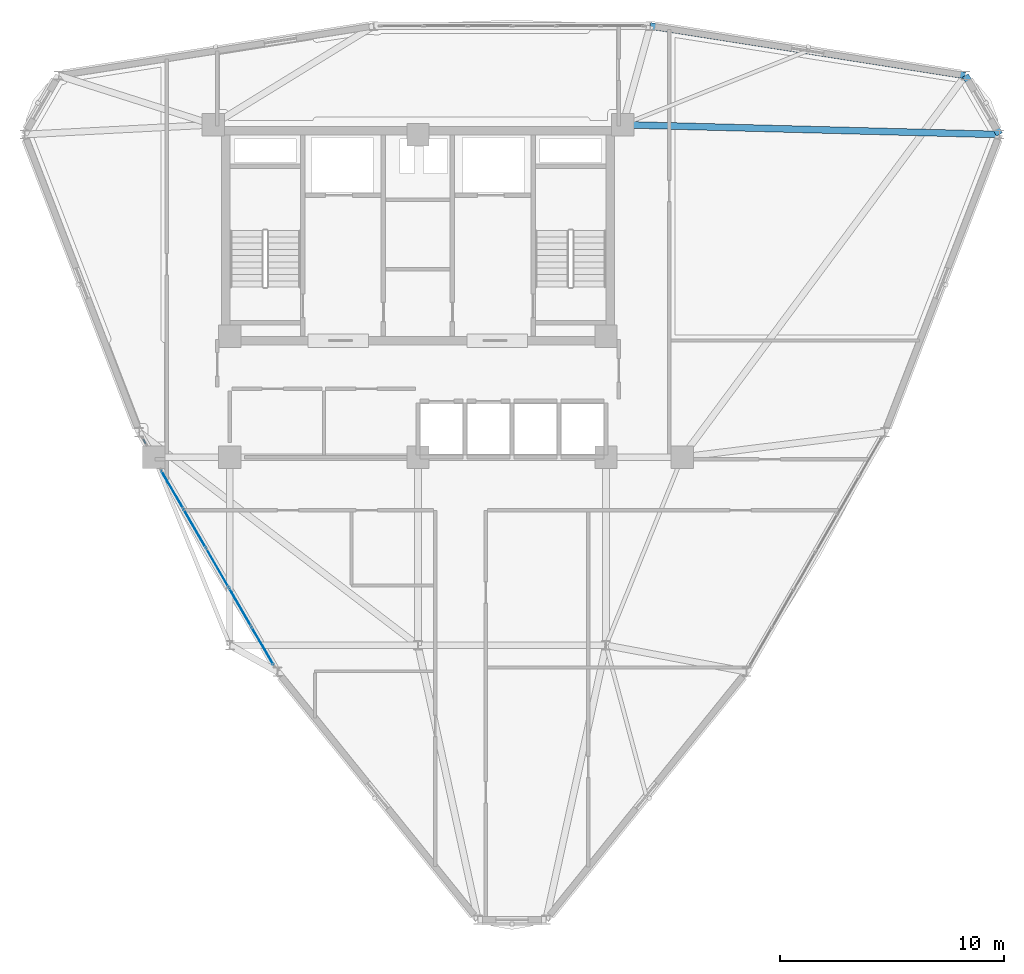
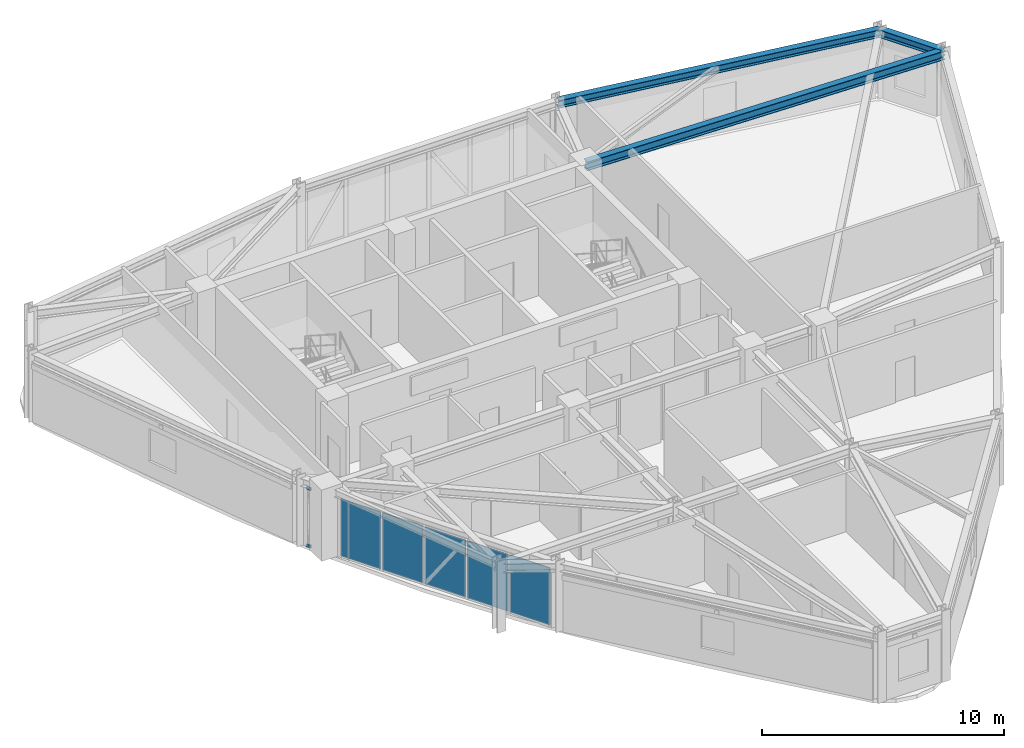
# One storey, part 11 of 18: 5 plates, 3 beams, 2 members, 2 elements without a shape of their own.
"""IFC4 building model written with IfcOpenShell, lengths in metres."""

from ifc_helpers import new_model, si_unit, derived_unit, direction, frame, origin, origin_2d, place, context, subcontext, project, spatial, rectangle, hollow_rectangle, i_section, extrude, source, transform, mapped, material, layer, layer_set, material_profile, profile_set, type_object, element, aggregate, save


model = new_model("IFC4")

# Units and contexts
model_context = context("Model", 3, precision=1e-05, world=origin(), true_north=direction((0.0, 1.0)))
body_context = subcontext(model_context, "Body", "Model", "MODEL_VIEW")
ifc_project = project(units=[si_unit("LENGTHUNIT", "METRE"), si_unit("AREAUNIT", "SQUARE_METRE"), si_unit("VOLUMEUNIT", "CUBIC_METRE"), si_unit("PLANEANGLEUNIT", "RADIAN"), si_unit("MASSUNIT", "GRAM", prefix="KILO"), derived_unit("THERMALTRANSMITTANCEUNIT", [(si_unit("POWERUNIT", "WATT"), 1), (si_unit("LENGTHUNIT", "METRE"), -2), (si_unit("THERMODYNAMICTEMPERATUREUNIT", "KELVIN"), -1)])], contexts=[model_context])

# Site, building, storey
site_placement = place(None, origin())
site = spatial("IfcSite", under=ifc_project, at=site_placement, CompositionType="ELEMENT")
building_placement = place(site_placement, origin())
building = spatial("IfcBuilding", under=site, at=building_placement, Name="Korsvarv Bourse and Concert Hall", CompositionType="ELEMENT")
storey_placement = place(building_placement, frame((0.0, 0.0, 209.39990234375)))
storey = spatial("IfcBuildingStorey", under=building, at=storey_placement, Name="L54", CompositionType="ELEMENT", Elevation=209.39990234375)

# Beams
ifc_material_1 = material(Name="Steel S355", Category="steel")
ifc_material_profile_1 = material_profile(ifc_material_1, i_section(OverallWidth=0.300048828125, OverallDepth=0.389892578125, WebThickness=0.010986328125, FlangeThickness=0.01904296875, FilletRadius=0.02099609375, at=origin_2d()), Name="HEA 400")
ifc_profile_set_1 = profile_set([ifc_material_profile_1], Name="Steel S355")
beam_type_1 = type_object("IfcBeamType", Name="BM-HEA400", PredefinedType="BEAM", material=ifc_profile_set_1)
shared_shape_1 = source(origin(), body_context, "Body", "SweptSolid", [
    extrude(i_section(OverallWidth=0.300048828125, OverallDepth=0.389892578125, WebThickness=0.010986328125, FlangeThickness=0.01904296875, FilletRadius=0.02099609375, at=origin_2d()), origin(), (0.0, 0.0, 1.0), 3.04443359375),
])
beam_1_placement = place(storey_placement, frame((61.97021484375, 46.811279296875, 3.215087890625), z_axis=(-0.500011694876, 0.866018651639, 0.0), x_axis=(-0.866018651639, -0.500011694876, 0.0)))
element("IfcBeam", 1, at=beam_1_placement, inside=storey, type_object=beam_type_1, Name="L54 beam B-11", PredefinedType="BEAM", context=body_context, shape_type="MappedRepresentation", body=[
    mapped(shared_shape_1, transform((0.0, 0.0, 0.0), scale=1.0)),
])
shared_shape_2 = source(origin(), body_context, "Body", "SweptSolid", [
    extrude(i_section(OverallWidth=0.300048828125, OverallDepth=0.389892578125, WebThickness=0.010986328125, FlangeThickness=0.01904296875, FilletRadius=0.02099609375, at=origin_2d()), origin(), (0.0, 0.0, 1.0), 14.244384765625),
])
beam_2_placement = place(storey_placement, frame((60.447998046875, 49.44775390625, 3.215087890625), z_axis=(-0.987848421063, 0.15542038799, 0.0), x_axis=(-0.15542038799, -0.987848421063, 0.0)))
element("IfcBeam", 2, at=beam_2_placement, inside=storey, type_object=beam_type_1, Name="L54 beam B-11", PredefinedType="BEAM", context=body_context, shape_type="MappedRepresentation", body=[
    mapped(shared_shape_2, transform((0.0, 0.0, 0.0), scale=1.0)),
])
ifc_material_profile_2 = material_profile(ifc_material_1, i_section(OverallWidth=0.300048828125, OverallDepth=0.449951171875, WebThickness=0.013916015625, FlangeThickness=0.02587890625, FilletRadius=0.02099609375, at=origin_2d()), Name="HEB 450")
ifc_profile_set_2 = profile_set([ifc_material_profile_2], Name="Steel S355")
beam_type_2 = type_object("IfcBeamType", Name="BM-HEB450", PredefinedType="SPANDREL", material=ifc_profile_set_2)
shared_shape_3 = source(origin(), body_context, "Body", "SweptSolid", [
    extrude(i_section(OverallWidth=0.300048828125, OverallDepth=0.449951171875, WebThickness=0.013916015625, FlangeThickness=0.02587890625, FilletRadius=0.02099609375, at=origin_2d()), origin(), (0.0, 0.0, 1.0), 16.825927734375),
])
beam_3_placement = place(storey_placement, frame((61.97021484375, 46.811279296875, 3.18505859375), z_axis=(-0.999660017456, 0.02607392376, 0.0), x_axis=(-0.02607392376, -0.999660017456, 0.0)))
element("IfcBeam", 3, at=beam_3_placement, inside=storey, type_object=beam_type_2, Name="L54 beam B-08", PredefinedType="SPANDREL", context=body_context, shape_type="MappedRepresentation", body=[
    mapped(shared_shape_3, transform((0.0, 0.0, 0.0), scale=1.0)),
])

# Curtain wall, members
ifc_material_2 = material(Name="Anodised aluminium and triple low-E glazing", Category="glass")
ifc_layer_1 = layer(ifc_material_2, 0.199951171875)
ifc_layer_set_1 = layer_set([ifc_layer_1], Name="Anodised aluminium and triple low-E glazing")
curtain_wall_type = type_object("IfcCurtainWallType", Name="CW-SYS-3", PredefinedType="NOTDEFINED", material=ifc_layer_set_1)
curtain_wall_1_placement = place(storey_placement, origin())
curtain_wall_1 = element("IfcCurtainWall", 4, at=curtain_wall_1_placement, inside=storey, type_object=curtain_wall_type, Name="L54 CW3 curtain wall CW-L54-F07-1", PredefinedType="NOTDEFINED")
ifc_material_3 = material(Name="Extruded aluminium EN AW-6063 T66", Category="aluminium")
ifc_material_profile_3 = material_profile(ifc_material_3, hollow_rectangle(XDim=0.06494140625, YDim=0.139892578125, WallThickness=0.00390625, at=origin_2d()), Name="ALU-T 65x140")
ifc_profile_set_3 = profile_set([ifc_material_profile_3], Name="Extruded aluminium EN AW-6063 T66")
member_type = type_object("IfcMemberType", Name="CWT-140", PredefinedType="USERDEFINED", material=ifc_profile_set_3)
shared_shape_4 = source(origin(), body_context, "Body", "SweptSolid", [
    extrude(hollow_rectangle(XDim=0.06494140625, YDim=0.139892578125, WallThickness=0.00390625, at=origin_2d()), origin(), (0.0, 0.0, 1.0), 0.21826171875),
])
member_1_placement = place(storey_placement, frame((23.732177734375, 33.19970703125, 0.03271484375), z_axis=(0.500109828528, -0.865961984968, 0.0), x_axis=(0.865961984968, 0.500109828528, 0.0)))
member_1 = element("IfcMember", 5, at=member_1_placement, type_object=member_type, Name="CW3 transom 1.1", ObjectType="TRANSOM", PredefinedType="USERDEFINED", context=body_context, shape_type="MappedRepresentation", body=[
    mapped(shared_shape_4, transform((0.0, 0.0, 0.0), scale=1.0)),
])
member_2_placement = place(storey_placement, frame((23.732177734375, 33.19970703125, 2.927490234375), z_axis=(0.500109828528, -0.865961984968, 0.0), x_axis=(0.865961984968, 0.500109828528, 0.0)))
member_2 = element("IfcMember", 6, at=member_2_placement, type_object=member_type, Name="CW3 transom 1.2", ObjectType="TRANSOM", PredefinedType="USERDEFINED", context=body_context, shape_type="MappedRepresentation", body=[
    mapped(shared_shape_4, transform((0.0, 0.0, 0.0), scale=1.0)),
])
aggregate(curtain_wall_1, [member_1, member_2])

# Curtain wall, plates
curtain_wall_2_placement = place(storey_placement, origin())
curtain_wall_2 = element("IfcCurtainWall", 7, at=curtain_wall_2_placement, inside=storey, type_object=curtain_wall_type, Name="L54 CW3 curtain wall CW-L54-F07-2", PredefinedType="NOTDEFINED")
ifc_material_4 = material(Name="Tempered triple insulated low-E architectural glass", Category="glass")
ifc_layer_2 = layer(ifc_material_4, 0.0380859375)
ifc_layer_set_2 = layer_set([ifc_layer_2], Name="Tempered triple insulated low-E architectural glass")
plate_type_1 = type_object("IfcPlateType", Name="CWP-VIS2", PredefinedType="CURTAIN_PANEL", material=ifc_layer_set_2)
shared_shape_5 = source(origin(), body_context, "Body", "SweptSolid", [
    extrude(rectangle(XDim=1.9208984375, YDim=0.0380859375, at=origin_2d()), origin(), (0.0, 0.0, 1.0), 2.889892578125),
])
plate_1_placement = place(storey_placement, frame((25.026611328125, 30.957763671875, 0.06494140625), z_axis=(0.0, 0.0, 1.0), x_axis=(0.49999877372, -0.866026111776, 0.0)))
plate_1 = element("IfcPlate", 8, at=plate_1_placement, type_object=plate_type_1, Name="CW3 faceted panel 1.1", PredefinedType="CURTAIN_PANEL", context=body_context, shape_type="MappedRepresentation", body=[
    mapped(shared_shape_5, transform((0.0, 0.0, 0.0), scale=1.0)),
])
plate_2_placement = place(storey_placement, frame((29.060791015625, 23.970458984375, 0.06494140625), z_axis=(0.0, 0.0, 1.0), x_axis=(0.49999877372, -0.866026111776, 0.0)))
plate_2 = element("IfcPlate", 9, at=plate_2_placement, type_object=plate_type_1, Name="CW3 faceted panel 5.1", PredefinedType="CURTAIN_PANEL", context=body_context, shape_type="MappedRepresentation", body=[
    mapped(shared_shape_5, transform((0.0, 0.0, 0.0), scale=1.0)),
])
shared_shape_6 = source(origin(), body_context, "Body", "SweptSolid", [
    extrude(rectangle(XDim=1.955810546875, YDim=0.0380859375, at=origin_2d()), origin(), (0.0, 0.0, 1.0), 2.889892578125),
])
plate_3_placement = place(storey_placement, frame((26.03076171875, 29.218505859375, 0.06494140625), z_axis=(0.0, 0.0, 1.0), x_axis=(0.49999877372, -0.866026111776, 0.0)))
plate_3 = element("IfcPlate", 10, at=plate_3_placement, type_object=plate_type_1, Name="CW3 faceted panel 2.1", PredefinedType="CURTAIN_PANEL", context=body_context, shape_type="MappedRepresentation", body=[
    mapped(shared_shape_6, transform((0.0, 0.0, 0.0), scale=1.0)),
])
plate_4_placement = place(storey_placement, frame((28.056640625, 25.709716796875, 0.06494140625), z_axis=(0.0, 0.0, 1.0), x_axis=(0.49999877372, -0.866026111776, 0.0)))
plate_4 = element("IfcPlate", 11, at=plate_4_placement, type_object=plate_type_1, Name="CW3 faceted panel 4.1", PredefinedType="CURTAIN_PANEL", context=body_context, shape_type="MappedRepresentation", body=[
    mapped(shared_shape_6, transform((0.0, 0.0, 0.0), scale=1.0)),
])
ifc_material_5 = material(Name="Insulated spandrel glass", Category="glass")
ifc_layer_3 = layer(ifc_material_5, 0.031982421875)
ifc_layer_set_3 = layer_set([ifc_layer_3], Name="Insulated spandrel glass")
plate_type_2 = type_object("IfcPlateType", Name="CWP-SPD1", PredefinedType="CURTAIN_PANEL", material=ifc_layer_set_3)
shared_shape_7 = source(origin(), body_context, "Body", "SweptSolid", [
    extrude(rectangle(XDim=1.955810546875, YDim=0.031982421875, at=origin_2d()), origin(), (0.0, 0.0, 1.0), 2.889892578125),
])
plate_5_placement = place(storey_placement, frame((27.043701171875, 27.464111328125, 0.06494140625), z_axis=(0.0, 0.0, 1.0), x_axis=(0.49999877372, -0.866026111776, 0.0)))
plate_5 = element("IfcPlate", 12, at=plate_5_placement, type_object=plate_type_2, Name="CW3 spandrel shadow-box panel 3.1", PredefinedType="CURTAIN_PANEL", context=body_context, shape_type="MappedRepresentation", body=[
    mapped(shared_shape_7, transform((0.0, 0.0, 0.0), scale=1.0)),
])
aggregate(curtain_wall_2, [plate_1, plate_3, plate_5, plate_4, plate_2])

save(model, "model.ifc")
